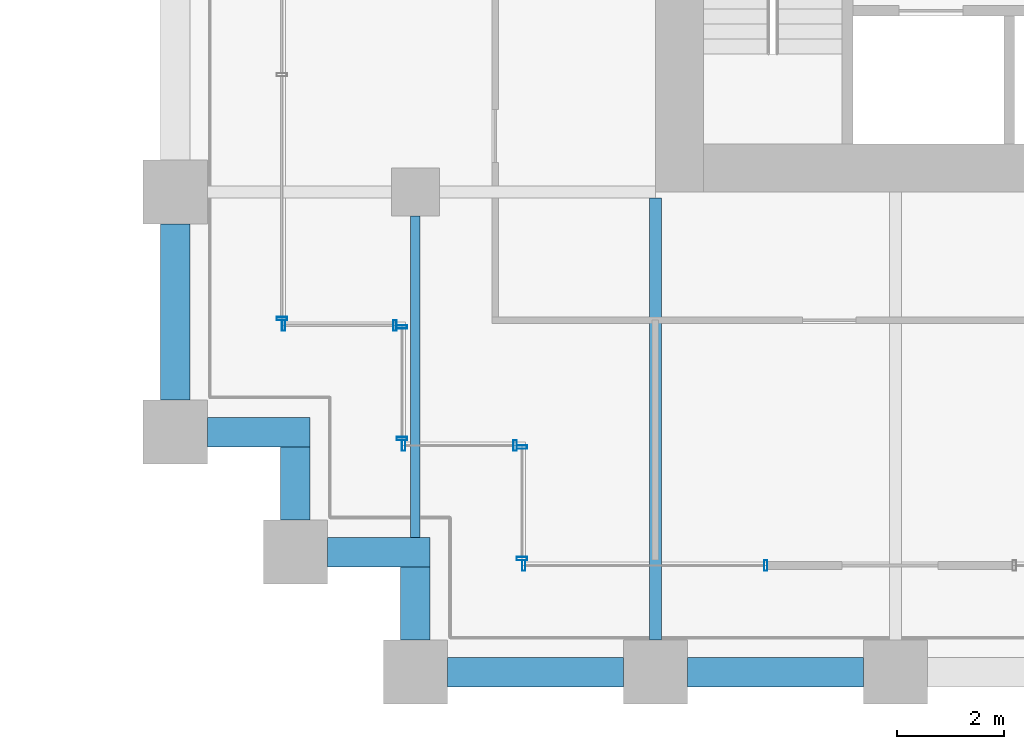
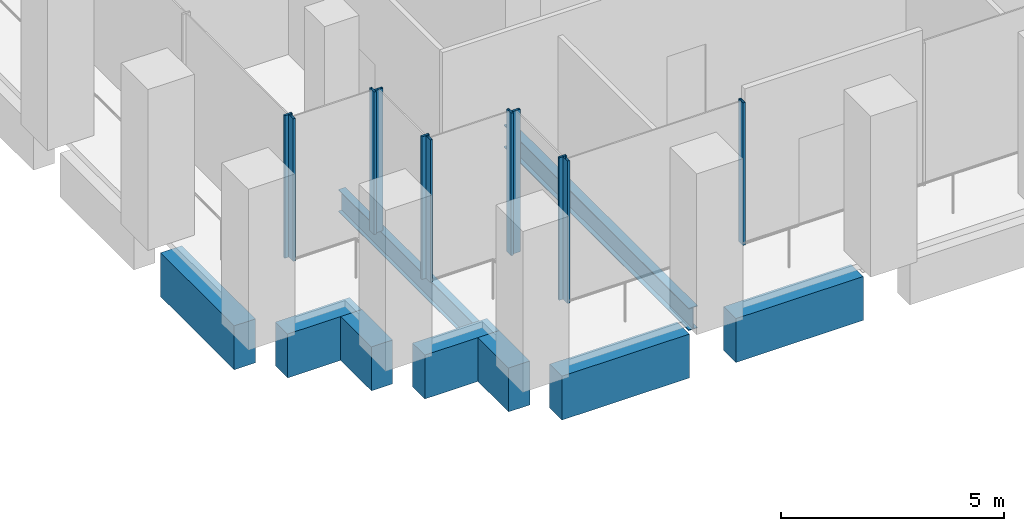
# One storey, part 19 of 36: 11 members, 9 beams, 6 elements without a shape of their own.
"""IFC4 building model written with IfcOpenShell, lengths in metres."""

import ifcopenshell
import ifcopenshell.guid

model = None  # the IFC model being written
_history = None  # IfcOwnerHistory: only IFC2X3 demands one
_inside = {}  # id of a spatial element -> (the spatial element, [elements in it])
_under = {}  # id of a project, library or spatial element -> (it, [spatial elements below it])
_declared = {}  # id of a project -> (the project, [libraries it declares])
_typed = {}  # id of a type object -> (the type object, [elements of that type])
_made_of = {}  # id of a material, layer set ... -> (it, [elements and type objects made of it])


def new_model(schema):
    """Start an empty IFC model of exactly this schema.

    Asked for "IFC4X3", IfcOpenShell would pick the latest addendum, in which some entities
    have other attributes; the version numbers below select the first issue.
    IFC2X3 requires an IfcOwnerHistory on every rooted entity: one is made here for all.
    """
    global model, _history
    if schema == "IFC4X3":
        model = ifcopenshell.file(schema_version=(4, 3, 0, 0))
    else:
        model = ifcopenshell.file(schema=schema)
    _inside.clear()
    _under.clear()
    _declared.clear()
    _typed.clear()
    _made_of.clear()
    _history = None
    if model.schema == "IFC2X3":
        org = make("IfcOrganization", Name="unknown")
        user = make(
            "IfcPersonAndOrganization",
            ThePerson=make("IfcPerson", FamilyName="unknown"),
            TheOrganization=org,
        )
        app = make(
            "IfcApplication",
            ApplicationDeveloper=org,
            Version="unknown",
            ApplicationFullName="unknown",
            ApplicationIdentifier="unknown",
        )
        _history = make(
            "IfcOwnerHistory",
            OwningUser=user,
            OwningApplication=app,
            ChangeAction="ADDED",
            CreationDate=0,
        )
    return model


def make(cls, **values):
    """One entity of the class cls with the attributes given. An attribute that is None is left unset."""
    return model.create_entity(
        cls, **{name: value for name, value in values.items() if value is not None}
    )


def rooted(cls, **values):
    """An entity with a GlobalId (a new one), such as an element, a storey or a relation."""
    return make(cls, GlobalId=ifcopenshell.guid.new(), OwnerHistory=_history, **values)


def si_unit(unit_type, name, prefix=None):
    """IfcSIUnit, for example si_unit("LENGTHUNIT", "METRE", prefix="MILLI")."""
    return make("IfcSIUnit", UnitType=unit_type, Prefix=prefix, Name=name)


def assignment(units):
    """IfcUnitAssignment: the units of a project."""
    return None if units is None else make("IfcUnitAssignment", Units=units)


def point(xyz):
    """IfcCartesianPoint."""
    return None if xyz is None else make("IfcCartesianPoint", Coordinates=xyz)


def direction(xyz):
    """IfcDirection."""
    return None if xyz is None else make("IfcDirection", DirectionRatios=xyz)


def frame(location, z_axis=None, x_axis=None):
    """IfcAxis2Placement3D, a coordinate frame: its origin and axes. An axis left out is left unset."""
    return make(
        "IfcAxis2Placement3D",
        Location=point(location),
        Axis=direction(z_axis),
        RefDirection=direction(x_axis),
    )


def frame_2d(location, x_axis=None):
    """IfcAxis2Placement2D, a coordinate frame in the plane: its origin and x axis."""
    return make(
        "IfcAxis2Placement2D", Location=point(location), RefDirection=direction(x_axis)
    )


def origin():
    """The frame at (0, 0, 0) with its axes left unset."""
    return frame((0.0, 0.0, 0.0))


def origin_2d():
    """The frame at (0, 0) in the plane with its x axis left unset."""
    return frame_2d((0.0, 0.0))


def place(relative_to, where):
    """IfcLocalPlacement: puts the frame where relative to a parent placement (None: the world)."""
    return make(
        "IfcLocalPlacement", PlacementRelTo=relative_to, RelativePlacement=where
    )


def context(
    kind, dimensions, precision=None, world=None, true_north=None, identifier=None
):
    """IfcGeometricRepresentationContext, for example the 3D "Model" context."""
    return make(
        "IfcGeometricRepresentationContext",
        ContextIdentifier=identifier,
        ContextType=kind,
        CoordinateSpaceDimension=dimensions,
        Precision=precision,
        WorldCoordinateSystem=world,
        TrueNorth=true_north,
    )


def subcontext(parent, identifier, kind, view, scale=None):
    """IfcGeometricRepresentationSubContext, for example "Body" below "Model"."""
    return make(
        "IfcGeometricRepresentationSubContext",
        ContextIdentifier=identifier,
        ContextType=kind,
        ParentContext=parent,
        TargetScale=scale,
        TargetView=view,
    )


def project(units=None, contexts=None):
    """IfcProject with its units and contexts."""
    return rooted(
        "IfcProject",
        Name="project",
        RepresentationContexts=contexts,
        UnitsInContext=assignment(units),
    )


def spatial(cls, under=None, at=None, **own):
    """A site, building, storey or space (cls), placed at a placement, below another one or the project."""
    s = rooted(cls, ObjectPlacement=at, **own)
    if under is not None:
        _under.setdefault(under.id(), (under, []))[1].append(s)
    return s


def profile(cls, at=None, kind="AREA", **sizes):
    """A parametric profile (cls). Its sizes go by their IFC names, for example OverallWidth=200.0."""
    return make(cls, ProfileType=kind, Position=at, **sizes)


def rectangle(**sizes):
    """IfcRectangleProfileDef."""
    return profile("IfcRectangleProfileDef", **sizes)


def hollow_rectangle(**sizes):
    """IfcRectangleHollowProfileDef."""
    return profile("IfcRectangleHollowProfileDef", **sizes)


def i_section(**sizes):
    """IfcIShapeProfileDef."""
    return profile("IfcIShapeProfileDef", **sizes)


def extrude(swept, where, along, depth):
    """IfcExtrudedAreaSolid: the profile swept, set in the frame where, extruded along a direction by depth."""
    return make(
        "IfcExtrudedAreaSolid",
        SweptArea=swept,
        Position=where,
        ExtrudedDirection=direction(along),
        Depth=depth,
    )


def shape(context_of_items, identifier, shape_type, items):
    """IfcShapeRepresentation: the items that make up one representation, for example the "Body"."""
    return make(
        "IfcShapeRepresentation",
        ContextOfItems=context_of_items,
        RepresentationIdentifier=identifier,
        RepresentationType=shape_type,
        Items=items,
    )


def material(Name=None, Category=None):
    """IfcMaterial."""
    return make("IfcMaterial", Name=Name, Category=Category)


def material_profile(
    of_material, cross_section, Name=None, Category=None, Priority=None
):
    """IfcMaterialProfile: a cross section and its material."""
    return make(
        "IfcMaterialProfile",
        Name=Name,
        Material=of_material,
        Profile=cross_section,
        Priority=Priority,
        Category=Category,
    )


def profile_set(profiles, Name=None, composite=None):
    """IfcMaterialProfileSet."""
    return make(
        "IfcMaterialProfileSet",
        Name=Name,
        MaterialProfiles=profiles,
        CompositeProfile=composite,
    )


def made_of(thing, what):
    """Note that an element or type object is made of a material, layer set ...; save() writes the relation."""
    if what is not None:
        _made_of.setdefault(what.id(), (what, []))[1].append(thing)
    return thing


def type_object(cls, material=None, **own):
    """A type object (cls), such as IfcWallType, which elements share."""
    return made_of(rooted(cls, **own), material)


def element(
    cls,
    number,
    at=None,
    inside=None,
    cuts=None,
    type_object=None,
    material=None,
    context=None,
    identifier="Body",
    shape_type=None,
    held_by="IfcProductDefinitionShape",
    body=None,
    shapes=None,
    **own,
):
    """One element of the class cls, such as IfcWall. Its Tag is "e" and its number.

    at: its placement. inside: the storey or other place that contains it. cuts: it is an
    opening in that element (IfcRelVoidsElement). A single representation is given by context,
    identifier, shape_type and body (its items); several are given by shapes. held_by: the class
    of the entity that holds the representations. save() writes the other relations.
    """
    e = rooted(cls, Tag="e%d" % number, ObjectPlacement=at, **own)
    if body is not None:
        shapes = [shape(context, identifier, shape_type, body)]
    if shapes is not None:
        e.Representation = make(held_by, Representations=shapes)
    if inside is not None:
        _inside.setdefault(inside.id(), (inside, []))[1].append(e)
    if cuts is not None:
        rooted(
            "IfcRelVoidsElement", RelatingBuildingElement=cuts, RelatedOpeningElement=e
        )
    if type_object is not None:
        _typed.setdefault(type_object.id(), (type_object, []))[1].append(e)
    return made_of(e, material)


def aggregate(whole, parts):
    """IfcRelAggregates: a whole, such as a stair, and the parts it consists of."""
    return rooted("IfcRelAggregates", RelatingObject=whole, RelatedObjects=parts)


def save(model, path):
    """Write the relations noted so far, then the file.

    IfcRelAggregates (storeys below a building ...), IfcRelContainedInSpatialStructure (elements
    in a storey), IfcRelDefinesByType, IfcRelAssociatesMaterial and IfcRelDeclares: one each for
    every whole, place, type object, material and project.
    """
    for whole, parts in _under.values():
        aggregate(whole, parts)
    for where, things in _inside.values():
        rooted(
            "IfcRelContainedInSpatialStructure",
            RelatedElements=things,
            RelatingStructure=where,
        )
    for kind, things in _typed.values():
        rooted("IfcRelDefinesByType", RelatedObjects=things, RelatingType=kind)
    for what, things in _made_of.values():
        rooted("IfcRelAssociatesMaterial", RelatedObjects=things, RelatingMaterial=what)
    for by, libraries in _declared.values():
        rooted("IfcRelDeclares", RelatingContext=by, RelatedDefinitions=libraries)
    model.write(path)


model = new_model("IFC4")

# Units and contexts
model_context = context("Model", 3, precision=1e-05, world=origin(), true_north=direction((0.0, 1.0)))
body_context = subcontext(model_context, "Body", "Model", "MODEL_VIEW")
ifc_project = project(units=[si_unit("LENGTHUNIT", "METRE"), si_unit("AREAUNIT", "SQUARE_METRE"), si_unit("VOLUMEUNIT", "CUBIC_METRE"), si_unit("PLANEANGLEUNIT", "RADIAN"), si_unit("MASSUNIT", "GRAM", prefix="KILO")], contexts=[model_context])

# Site, building, storey
site_placement = place(None, origin())
site = spatial("IfcSite", under=ifc_project, at=site_placement, CompositionType="ELEMENT")
building_placement = place(site_placement, origin())
building = spatial("IfcBuilding", under=site, at=building_placement, Name="Altepetl Exchange Towers", CompositionType="ELEMENT")
storey_placement = place(building_placement, frame((0.0, 0.0, 43.0)))
storey = spatial("IfcBuildingStorey", under=building, at=storey_placement, Name="L09", CompositionType="ELEMENT", Elevation=43.0)

# Beams
ifc_material_1 = material(Name="Steel S355", Category="steel")
ifc_material_profile_1 = material_profile(ifc_material_1, i_section(OverallWidth=0.178955078125, OverallDepth=0.60302734375, WebThickness=0.010986328125, FlangeThickness=0.014892578125, at=origin_2d()), Name="W24X62")
ifc_profile_set_1 = profile_set([ifc_material_profile_1], Name="Steel S355")
beam_type_1 = type_object("IfcBeamType", Name="Floor beam W24X62", PredefinedType="BEAM", material=ifc_profile_set_1)
beam_1_placement = place(storey_placement, frame((99.0, 29.52490234375, -0.4765625), z_axis=(0.0, 1.0, 0.0), x_axis=(-1.0, 0.0, 0.0)))
element("IfcBeam", 1, at=beam_1_placement, inside=storey, type_object=beam_type_1, Name="bm:B:L09:008", PredefinedType="BEAM", context=body_context, shape_type="SweptSolid", body=[
    extrude(i_section(OverallWidth=0.178955078125, OverallDepth=0.60302734375, WebThickness=0.010986328125, FlangeThickness=0.014892578125, at=origin_2d()), origin(), (0.0, 0.0, 1.0), 6.025146484375),
])
ifc_material_profile_2 = material_profile(ifc_material_1, i_section(OverallWidth=0.22900390625, OverallDepth=0.612060546875, WebThickness=0.011962890625, FlangeThickness=0.01953125, at=origin_2d()), Name="W24X84")
ifc_profile_set_2 = profile_set([ifc_material_profile_2], Name="Steel S355")
beam_type_2 = type_object("IfcBeamType", Name="Floor beam W24X84", PredefinedType="BEAM", material=ifc_profile_set_2)
beam_2_placement = place(storey_placement, frame((103.5, 27.60009765625, -0.48095703125), z_axis=(0.0, 1.0, 0.0), x_axis=(-1.0, 0.0, 0.0)))
element("IfcBeam", 2, at=beam_2_placement, inside=storey, type_object=beam_type_2, Name="bm:B:L09:009", PredefinedType="BEAM", context=body_context, shape_type="SweptSolid", body=[
    extrude(i_section(OverallWidth=0.22900390625, OverallDepth=0.612060546875, WebThickness=0.011962890625, FlangeThickness=0.01953125, at=origin_2d()), origin(), (0.0, 0.0, 1.0), 8.285888671875),
])

# Curtain wall, member
ifc_material_2 = material(Name="Aluminium 6063-T6 glazing", Category="aluminium")
curtain_wall_type = type_object("IfcCurtainWallType", Name="Trading floor glazing system", PredefinedType="NOTDEFINED", material=ifc_material_2)
curtain_wall_1_placement = place(storey_placement, origin())
curtain_wall_1 = element("IfcCurtainWall", 3, at=curtain_wall_1_placement, inside=storey, type_object=curtain_wall_type, Name="CW2 run", PredefinedType="NOTDEFINED")
ifc_material_3 = material(Name="Aluminium 6063-T6", Category="aluminium")
ifc_material_profile_3 = material_profile(ifc_material_3, hollow_rectangle(XDim=0.06005859375, YDim=0.199951171875, WallThickness=0.0029296875, at=origin_2d()), Name="Mullion 60x200 aluminium")
ifc_profile_set_3 = profile_set([ifc_material_profile_3], Name="Aluminium 6063-T6")
member_type = type_object("IfcMemberType", Name="Mullion 60x200 aluminium", PredefinedType="MULLION", material=ifc_profile_set_3)
member_1_placement = place(storey_placement, frame((96.5, 33.6298828125, 0.0), z_axis=(0.0, 0.0, 1.0), x_axis=(0.0, -1.0, 0.0)))
member_1 = element("IfcMember", 4, at=member_1_placement, type_object=member_type, Name="MU2 mullion", PredefinedType="MULLION", context=body_context, shape_type="SweptSolid", body=[
    extrude(hollow_rectangle(XDim=0.06005859375, YDim=0.199951171875, WallThickness=0.0029296875, at=origin_2d()), origin(), (0.0, 0.0, 1.0), 3.89990234375),
])
aggregate(curtain_wall_1, [member_1])

# Curtain wall, members
curtain_wall_2_placement = place(storey_placement, origin())
curtain_wall_2 = element("IfcCurtainWall", 5, at=curtain_wall_2_placement, inside=storey, type_object=curtain_wall_type, Name="CW2 run", PredefinedType="NOTDEFINED")
member_2_placement = place(storey_placement, frame((96.530029296875, 33.5, 0.0)))
member_2 = element("IfcMember", 6, at=member_2_placement, type_object=member_type, Name="MU2 mullion", PredefinedType="MULLION", context=body_context, shape_type="SweptSolid", body=[
    extrude(hollow_rectangle(XDim=0.06005859375, YDim=0.199951171875, WallThickness=0.0029296875, at=origin_2d()), origin(), (0.0, 0.0, 1.0), 3.89990234375),
])
member_3_placement = place(storey_placement, frame((98.6201171875, 33.5, 0.0)))
member_3 = element("IfcMember", 7, at=member_3_placement, type_object=member_type, Name="MU2 mullion", PredefinedType="MULLION", context=body_context, shape_type="SweptSolid", body=[
    extrude(hollow_rectangle(XDim=0.06005859375, YDim=0.199951171875, WallThickness=0.0029296875, at=origin_2d()), origin(), (0.0, 0.0, 1.0), 3.89990234375),
])
aggregate(curtain_wall_2, [member_2, member_3])

curtain_wall_3_placement = place(storey_placement, origin())
curtain_wall_3 = element("IfcCurtainWall", 8, at=curtain_wall_3_placement, inside=storey, type_object=curtain_wall_type, Name="CW2 run", PredefinedType="NOTDEFINED")
member_4_placement = place(storey_placement, frame((98.75, 33.469970703125, 0.0), z_axis=(0.0, 0.0, 1.0), x_axis=(0.0, -1.0, 0.0)))
member_4 = element("IfcMember", 9, at=member_4_placement, type_object=member_type, Name="MU2 mullion", PredefinedType="MULLION", context=body_context, shape_type="SweptSolid", body=[
    extrude(hollow_rectangle(XDim=0.06005859375, YDim=0.199951171875, WallThickness=0.0029296875, at=origin_2d()), origin(), (0.0, 0.0, 1.0), 3.89990234375),
])
member_5_placement = place(storey_placement, frame((98.75, 31.3798828125, 0.0), z_axis=(0.0, 0.0, 1.0), x_axis=(0.0, -1.0, 0.0)))
member_5 = element("IfcMember", 10, at=member_5_placement, type_object=member_type, Name="MU2 mullion", PredefinedType="MULLION", context=body_context, shape_type="SweptSolid", body=[
    extrude(hollow_rectangle(XDim=0.06005859375, YDim=0.199951171875, WallThickness=0.0029296875, at=origin_2d()), origin(), (0.0, 0.0, 1.0), 3.89990234375),
])
aggregate(curtain_wall_3, [member_4, member_5])

curtain_wall_4_placement = place(storey_placement, origin())
curtain_wall_4 = element("IfcCurtainWall", 11, at=curtain_wall_4_placement, inside=storey, type_object=curtain_wall_type, Name="CW2 run", PredefinedType="NOTDEFINED")
member_6_placement = place(storey_placement, frame((98.780029296875, 31.25, 0.0)))
member_6 = element("IfcMember", 12, at=member_6_placement, type_object=member_type, Name="MU2 mullion", PredefinedType="MULLION", context=body_context, shape_type="SweptSolid", body=[
    extrude(hollow_rectangle(XDim=0.06005859375, YDim=0.199951171875, WallThickness=0.0029296875, at=origin_2d()), origin(), (0.0, 0.0, 1.0), 3.89990234375),
])
member_7_placement = place(storey_placement, frame((100.8701171875, 31.25, 0.0)))
member_7 = element("IfcMember", 13, at=member_7_placement, type_object=member_type, Name="MU2 mullion", PredefinedType="MULLION", context=body_context, shape_type="SweptSolid", body=[
    extrude(hollow_rectangle(XDim=0.06005859375, YDim=0.199951171875, WallThickness=0.0029296875, at=origin_2d()), origin(), (0.0, 0.0, 1.0), 3.89990234375),
])
aggregate(curtain_wall_4, [member_6, member_7])

curtain_wall_5_placement = place(storey_placement, origin())
curtain_wall_5 = element("IfcCurtainWall", 14, at=curtain_wall_5_placement, inside=storey, type_object=curtain_wall_type, Name="CW2 run", PredefinedType="NOTDEFINED")
member_8_placement = place(storey_placement, frame((101.0, 31.219970703125, 0.0), z_axis=(0.0, 0.0, 1.0), x_axis=(0.0, -1.0, 0.0)))
member_8 = element("IfcMember", 15, at=member_8_placement, type_object=member_type, Name="MU2 mullion", PredefinedType="MULLION", context=body_context, shape_type="SweptSolid", body=[
    extrude(hollow_rectangle(XDim=0.06005859375, YDim=0.199951171875, WallThickness=0.0029296875, at=origin_2d()), origin(), (0.0, 0.0, 1.0), 3.89990234375),
])
member_9_placement = place(storey_placement, frame((101.0, 29.1298828125, 0.0), z_axis=(0.0, 0.0, 1.0), x_axis=(0.0, -1.0, 0.0)))
member_9 = element("IfcMember", 16, at=member_9_placement, type_object=member_type, Name="MU2 mullion", PredefinedType="MULLION", context=body_context, shape_type="SweptSolid", body=[
    extrude(hollow_rectangle(XDim=0.06005859375, YDim=0.199951171875, WallThickness=0.0029296875, at=origin_2d()), origin(), (0.0, 0.0, 1.0), 3.89990234375),
])
aggregate(curtain_wall_5, [member_8, member_9])

curtain_wall_6_placement = place(storey_placement, origin())
curtain_wall_6 = element("IfcCurtainWall", 17, at=curtain_wall_6_placement, inside=storey, type_object=curtain_wall_type, Name="CW2 run", PredefinedType="NOTDEFINED")
member_10_placement = place(storey_placement, frame((101.030029296875, 29.0, 0.0)))
member_10 = element("IfcMember", 18, at=member_10_placement, type_object=member_type, Name="MU2 mullion", PredefinedType="MULLION", context=body_context, shape_type="SweptSolid", body=[
    extrude(hollow_rectangle(XDim=0.06005859375, YDim=0.199951171875, WallThickness=0.0029296875, at=origin_2d()), origin(), (0.0, 0.0, 1.0), 3.89990234375),
])
member_11_placement = place(storey_placement, frame((105.570068359375, 29.0, 0.0)))
member_11 = element("IfcMember", 19, at=member_11_placement, type_object=member_type, Name="MU2 mullion", PredefinedType="MULLION", context=body_context, shape_type="SweptSolid", body=[
    extrude(hollow_rectangle(XDim=0.06005859375, YDim=0.199951171875, WallThickness=0.0029296875, at=origin_2d()), origin(), (0.0, 0.0, 1.0), 3.89990234375),
])
aggregate(curtain_wall_6, [member_10, member_11])

# Beams
ifc_material_4 = material(Name="Concrete C50/60 precast with tezontle facing", Category="concrete")
ifc_material_profile_4 = material_profile(ifc_material_4, rectangle(XDim=0.550048828125, YDim=1.199951171875, at=origin_2d()), Name="550 x 1200")
ifc_profile_set_4 = profile_set([ifc_material_profile_4], Name="Concrete C50/60 precast with tezontle facing")
beam_type_3 = type_object("IfcBeamType", Name="Spandrel beam 550x1200 tezontle", PredefinedType="SPANDREL", material=ifc_profile_set_4)
for number, where, z_axis, x_axis, name in (
    (20, (99.60009765625, 27.0, -0.77490234375), (1.0, 0.0, 0.0), (0.0, 1.0, 0.0), "sp:B:L09:000"),
    (21, (104.10009765625, 27.0, -0.77490234375), (1.0, 0.0, 0.0), (0.0, 1.0, 0.0), "sp:B:L09:001"),
    (22, (94.5, 35.39990234375, -0.77490234375), (0.0, -1.0, 0.0), (1.0, 0.0, 0.0), "sp:B:L09:031"),
):
    element("IfcBeam", number, at=place(storey_placement, frame(where, z_axis=z_axis, x_axis=x_axis)), inside=storey, type_object=beam_type_3, Name=name, PredefinedType="SPANDREL", context=body_context, shape_type="SweptSolid", body=[
        extrude(rectangle(XDim=0.550048828125, YDim=1.199951171875, at=origin_2d()), origin(), (0.0, 0.0, 1.0), 3.2998046875),
    ])
beam_3_placement = place(storey_placement, frame((95.10009765625, 31.5, -0.77490234375), z_axis=(1.0, 0.0, 0.0), x_axis=(0.0, 1.0, 0.0)))
element("IfcBeam", 23, at=beam_3_placement, inside=storey, type_object=beam_type_3, Name="sp:B:L09:032", PredefinedType="SPANDREL", context=body_context, shape_type="SweptSolid", body=[
    extrude(rectangle(XDim=0.550048828125, YDim=1.199951171875, at=origin_2d()), origin(), (0.0, 0.0, 1.0), 1.9248046875),
])
beam_4_placement = place(storey_placement, frame((96.75, 31.22509765625, -0.77490234375), z_axis=(0.0, -1.0, 0.0), x_axis=(1.0, 0.0, 0.0)))
element("IfcBeam", 24, at=beam_4_placement, inside=storey, type_object=beam_type_3, Name="sp:B:L09:033", PredefinedType="SPANDREL", context=body_context, shape_type="SweptSolid", body=[
    extrude(rectangle(XDim=0.550048828125, YDim=1.199951171875, at=origin_2d()), origin(), (0.0, 0.0, 1.0), 1.375),
])
beam_5_placement = place(storey_placement, frame((97.35009765625, 29.25, -0.77490234375), z_axis=(1.0, 0.0, 0.0), x_axis=(0.0, 1.0, 0.0)))
element("IfcBeam", 25, at=beam_5_placement, inside=storey, type_object=beam_type_3, Name="sp:B:L09:034", PredefinedType="SPANDREL", context=body_context, shape_type="SweptSolid", body=[
    extrude(rectangle(XDim=0.550048828125, YDim=1.199951171875, at=origin_2d()), origin(), (0.0, 0.0, 1.0), 1.9248046875),
])
beam_6_placement = place(storey_placement, frame((99.0, 28.97509765625, -0.77490234375), z_axis=(0.0, -1.0, 0.0), x_axis=(1.0, 0.0, 0.0)))
element("IfcBeam", 26, at=beam_6_placement, inside=storey, type_object=beam_type_3, Name="sp:B:L09:035", PredefinedType="SPANDREL", context=body_context, shape_type="SweptSolid", body=[
    extrude(rectangle(XDim=0.550048828125, YDim=1.199951171875, at=origin_2d()), origin(), (0.0, 0.0, 1.0), 1.375),
])

save(model, "model.ifc")
